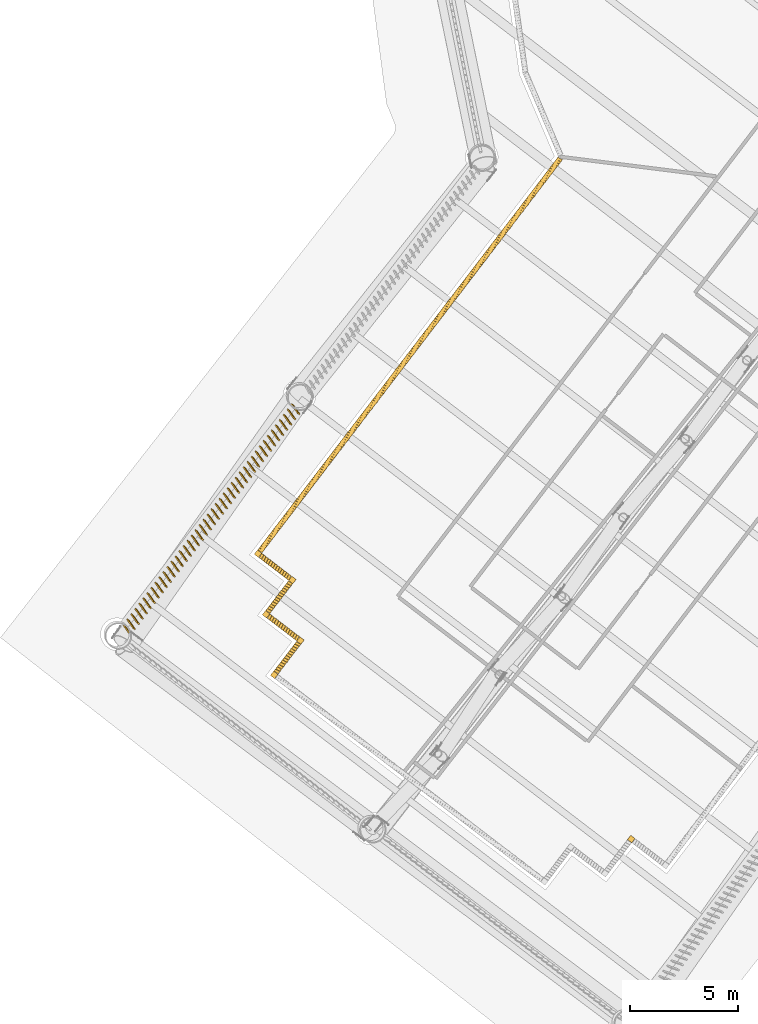
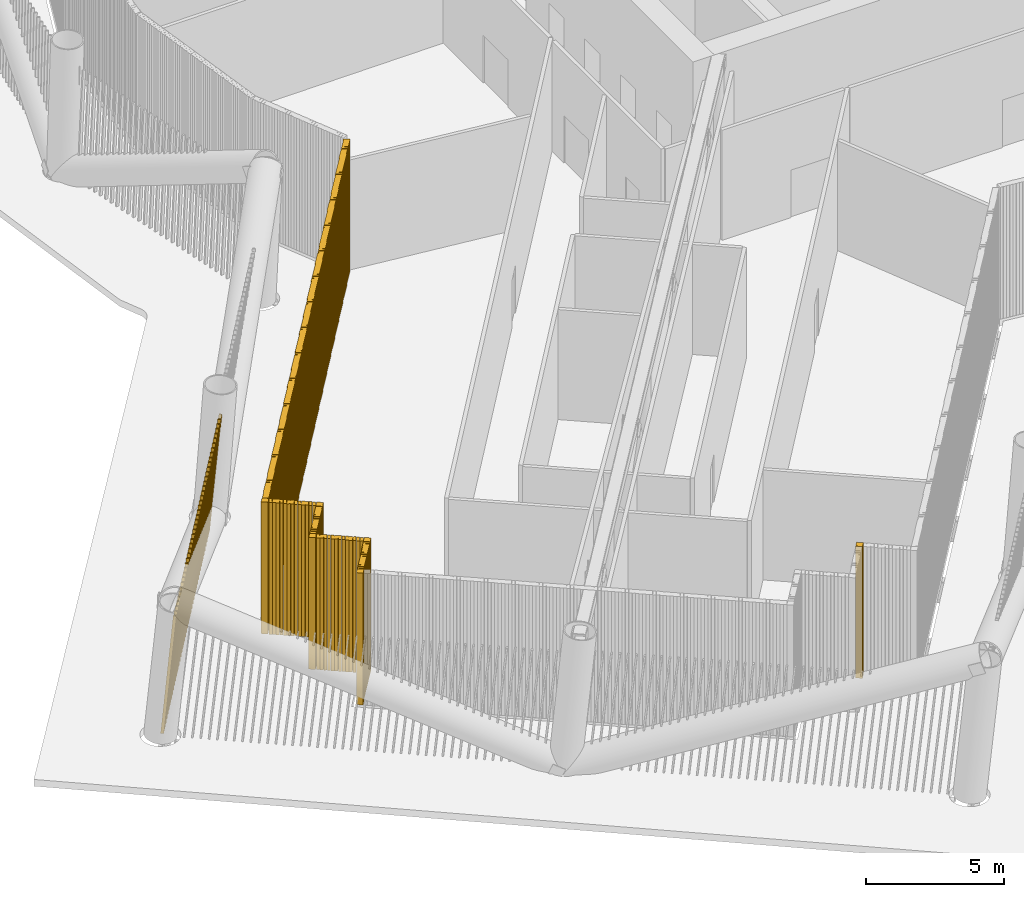
# One storey, part 36 of 48: 12 shading devices.
"""IFC4 building model written with IfcOpenShell, lengths in metres."""

import ifcopenshell
import ifcopenshell.guid

model = None  # the IFC model being written
_history = None  # IfcOwnerHistory: only IFC2X3 demands one
_inside = {}  # id of a spatial element -> (the spatial element, [elements in it])
_under = {}  # id of a project, library or spatial element -> (it, [spatial elements below it])
_declared = {}  # id of a project -> (the project, [libraries it declares])
_typed = {}  # id of a type object -> (the type object, [elements of that type])
_made_of = {}  # id of a material, layer set ... -> (it, [elements and type objects made of it])


def new_model(schema):
    """Start an empty IFC model of exactly this schema.

    Asked for "IFC4X3", IfcOpenShell would pick the latest addendum, in which some entities
    have other attributes; the version numbers below select the first issue.
    IFC2X3 requires an IfcOwnerHistory on every rooted entity: one is made here for all.
    """
    global model, _history
    if schema == "IFC4X3":
        model = ifcopenshell.file(schema_version=(4, 3, 0, 0))
    else:
        model = ifcopenshell.file(schema=schema)
    _inside.clear()
    _under.clear()
    _declared.clear()
    _typed.clear()
    _made_of.clear()
    _history = None
    if model.schema == "IFC2X3":
        org = make("IfcOrganization", Name="unknown")
        user = make(
            "IfcPersonAndOrganization",
            ThePerson=make("IfcPerson", FamilyName="unknown"),
            TheOrganization=org,
        )
        app = make(
            "IfcApplication",
            ApplicationDeveloper=org,
            Version="unknown",
            ApplicationFullName="unknown",
            ApplicationIdentifier="unknown",
        )
        _history = make(
            "IfcOwnerHistory",
            OwningUser=user,
            OwningApplication=app,
            ChangeAction="ADDED",
            CreationDate=0,
        )
    return model


def make(cls, **values):
    """One entity of the class cls with the attributes given. An attribute that is None is left unset."""
    return model.create_entity(
        cls, **{name: value for name, value in values.items() if value is not None}
    )


def rooted(cls, **values):
    """An entity with a GlobalId (a new one), such as an element, a storey or a relation."""
    return make(cls, GlobalId=ifcopenshell.guid.new(), OwnerHistory=_history, **values)


def si_unit(unit_type, name, prefix=None):
    """IfcSIUnit, for example si_unit("LENGTHUNIT", "METRE", prefix="MILLI")."""
    return make("IfcSIUnit", UnitType=unit_type, Prefix=prefix, Name=name)


def assignment(units):
    """IfcUnitAssignment: the units of a project."""
    return None if units is None else make("IfcUnitAssignment", Units=units)


def point(xyz):
    """IfcCartesianPoint."""
    return None if xyz is None else make("IfcCartesianPoint", Coordinates=xyz)


def direction(xyz):
    """IfcDirection."""
    return None if xyz is None else make("IfcDirection", DirectionRatios=xyz)


def frame(location, z_axis=None, x_axis=None):
    """IfcAxis2Placement3D, a coordinate frame: its origin and axes. An axis left out is left unset."""
    return make(
        "IfcAxis2Placement3D",
        Location=point(location),
        Axis=direction(z_axis),
        RefDirection=direction(x_axis),
    )


def frame_2d(location, x_axis=None):
    """IfcAxis2Placement2D, a coordinate frame in the plane: its origin and x axis."""
    return make(
        "IfcAxis2Placement2D", Location=point(location), RefDirection=direction(x_axis)
    )


def origin():
    """The frame at (0, 0, 0) with its axes left unset."""
    return frame((0.0, 0.0, 0.0))


def origin_2d():
    """The frame at (0, 0) in the plane with its x axis left unset."""
    return frame_2d((0.0, 0.0))


def place(relative_to, where):
    """IfcLocalPlacement: puts the frame where relative to a parent placement (None: the world)."""
    return make(
        "IfcLocalPlacement", PlacementRelTo=relative_to, RelativePlacement=where
    )


def context(
    kind, dimensions, precision=None, world=None, true_north=None, identifier=None
):
    """IfcGeometricRepresentationContext, for example the 3D "Model" context."""
    return make(
        "IfcGeometricRepresentationContext",
        ContextIdentifier=identifier,
        ContextType=kind,
        CoordinateSpaceDimension=dimensions,
        Precision=precision,
        WorldCoordinateSystem=world,
        TrueNorth=true_north,
    )


def subcontext(parent, identifier, kind, view, scale=None):
    """IfcGeometricRepresentationSubContext, for example "Body" below "Model"."""
    return make(
        "IfcGeometricRepresentationSubContext",
        ContextIdentifier=identifier,
        ContextType=kind,
        ParentContext=parent,
        TargetScale=scale,
        TargetView=view,
    )


def project(units=None, contexts=None):
    """IfcProject with its units and contexts."""
    return rooted(
        "IfcProject",
        Name="project",
        RepresentationContexts=contexts,
        UnitsInContext=assignment(units),
    )


def spatial(cls, under=None, at=None, **own):
    """A site, building, storey or space (cls), placed at a placement, below another one or the project."""
    s = rooted(cls, ObjectPlacement=at, **own)
    if under is not None:
        _under.setdefault(under.id(), (under, []))[1].append(s)
    return s


def profile(cls, at=None, kind="AREA", **sizes):
    """A parametric profile (cls). Its sizes go by their IFC names, for example OverallWidth=200.0."""
    return make(cls, ProfileType=kind, Position=at, **sizes)


def rectangle(**sizes):
    """IfcRectangleProfileDef."""
    return profile("IfcRectangleProfileDef", **sizes)


def composite_profile(profiles, kind="AREA"):
    """IfcCompositeProfileDef: several profiles as one."""
    return make("IfcCompositeProfileDef", ProfileType=kind, Profiles=profiles)


def extrude(swept, where, along, depth):
    """IfcExtrudedAreaSolid: the profile swept, set in the frame where, extruded along a direction by depth."""
    return make(
        "IfcExtrudedAreaSolid",
        SweptArea=swept,
        Position=where,
        ExtrudedDirection=direction(along),
        Depth=depth,
    )


def shape(context_of_items, identifier, shape_type, items):
    """IfcShapeRepresentation: the items that make up one representation, for example the "Body"."""
    return make(
        "IfcShapeRepresentation",
        ContextOfItems=context_of_items,
        RepresentationIdentifier=identifier,
        RepresentationType=shape_type,
        Items=items,
    )


def material(Name=None, Category=None):
    """IfcMaterial."""
    return make("IfcMaterial", Name=Name, Category=Category)


def made_of(thing, what):
    """Note that an element or type object is made of a material, layer set ...; save() writes the relation."""
    if what is not None:
        _made_of.setdefault(what.id(), (what, []))[1].append(thing)
    return thing


def type_object(cls, material=None, **own):
    """A type object (cls), such as IfcWallType, which elements share."""
    return made_of(rooted(cls, **own), material)


def element(
    cls,
    number,
    at=None,
    inside=None,
    cuts=None,
    type_object=None,
    material=None,
    context=None,
    identifier="Body",
    shape_type=None,
    held_by="IfcProductDefinitionShape",
    body=None,
    shapes=None,
    **own,
):
    """One element of the class cls, such as IfcWall. Its Tag is "e" and its number.

    at: its placement. inside: the storey or other place that contains it. cuts: it is an
    opening in that element (IfcRelVoidsElement). A single representation is given by context,
    identifier, shape_type and body (its items); several are given by shapes. held_by: the class
    of the entity that holds the representations. save() writes the other relations.
    """
    e = rooted(cls, Tag="e%d" % number, ObjectPlacement=at, **own)
    if body is not None:
        shapes = [shape(context, identifier, shape_type, body)]
    if shapes is not None:
        e.Representation = make(held_by, Representations=shapes)
    if inside is not None:
        _inside.setdefault(inside.id(), (inside, []))[1].append(e)
    if cuts is not None:
        rooted(
            "IfcRelVoidsElement", RelatingBuildingElement=cuts, RelatedOpeningElement=e
        )
    if type_object is not None:
        _typed.setdefault(type_object.id(), (type_object, []))[1].append(e)
    return made_of(e, material)


def aggregate(whole, parts):
    """IfcRelAggregates: a whole, such as a stair, and the parts it consists of."""
    return rooted("IfcRelAggregates", RelatingObject=whole, RelatedObjects=parts)


def save(model, path):
    """Write the relations noted so far, then the file.

    IfcRelAggregates (storeys below a building ...), IfcRelContainedInSpatialStructure (elements
    in a storey), IfcRelDefinesByType, IfcRelAssociatesMaterial and IfcRelDeclares: one each for
    every whole, place, type object, material and project.
    """
    for whole, parts in _under.values():
        aggregate(whole, parts)
    for where, things in _inside.values():
        rooted(
            "IfcRelContainedInSpatialStructure",
            RelatedElements=things,
            RelatingStructure=where,
        )
    for kind, things in _typed.values():
        rooted("IfcRelDefinesByType", RelatedObjects=things, RelatingType=kind)
    for what, things in _made_of.values():
        rooted("IfcRelAssociatesMaterial", RelatedObjects=things, RelatingMaterial=what)
    for by, libraries in _declared.values():
        rooted("IfcRelDeclares", RelatingContext=by, RelatedDefinitions=libraries)
    model.write(path)


model = new_model("IFC4")

# Units and contexts
model_context = context("Model", 3, precision=1e-05, world=origin(), true_north=direction((0.0, 1.0)))
body_context = subcontext(model_context, "Body", "Model", "MODEL_VIEW")
ifc_project = project(units=[si_unit("LENGTHUNIT", "METRE"), si_unit("AREAUNIT", "SQUARE_METRE"), si_unit("VOLUMEUNIT", "CUBIC_METRE"), si_unit("PLANEANGLEUNIT", "RADIAN"), si_unit("MASSUNIT", "GRAM", prefix="KILO")], contexts=[model_context])

# Site, building, storey
site_placement = place(None, origin())
site = spatial("IfcSite", under=ifc_project, at=site_placement, CompositionType="ELEMENT")
building_placement = place(site_placement, origin())
building = spatial("IfcBuilding", under=site, at=building_placement, Name="Tarsis Ring Headquarters", CompositionType="ELEMENT")
storey_placement = place(building_placement, frame((0.0, 0.0, 34.0)))
storey = spatial("IfcBuildingStorey", under=building, at=storey_placement, Name="L06", CompositionType="ELEMENT", Elevation=34.0)

# Shading devices
ifc_material_1 = material(Name="Aluminium louvre", Category="aluminium")
shading_device_type_1 = type_object("IfcShadingDeviceType", Name="Plant louvre fin", PredefinedType="USERDEFINED", material=ifc_material_1)
shading_device_1_placement = place(storey_placement, frame((-23.298828125, -10.92236328125, 0.0), z_axis=(0.0, 0.0, 1.0), x_axis=(-0.607383265167, -0.794414621677, 0.0)))
element("IfcShadingDevice", 1, at=shading_device_1_placement, inside=storey, type_object=shading_device_type_1, Name="Louvre L06-06", ObjectType="Louvre", PredefinedType="USERDEFINED", context=body_context, shape_type="SweptSolid", body=[
    extrude(composite_profile([rectangle(XDim=0.1201171875, YDim=0.239990234375, at=frame_2d((0.076171875, 0.0), x_axis=(0.990268068742, 0.13917310096))), rectangle(XDim=0.1201171875, YDim=0.239990234375, at=frame_2d((0.201171875, 0.0), x_axis=(0.990268068742, 0.13917310096))), rectangle(XDim=0.1201171875, YDim=0.239990234375, at=frame_2d((0.326416015625, 0.0), x_axis=(0.990268068742, 0.13917310096))), rectangle(XDim=0.1201171875, YDim=0.239990234375, at=frame_2d((0.451416015625, 0.0), x_axis=(0.990268068742, 0.13917310096))), rectangle(XDim=0.1201171875, YDim=0.239990234375, at=frame_2d((0.57666015625, 0.0), x_axis=(0.990268068742, 0.13917310096))), rectangle(XDim=0.1201171875, YDim=0.239990234375, at=frame_2d((0.70166015625, 0.0), x_axis=(0.990268068742, 0.13917310096))), rectangle(XDim=0.1201171875, YDim=0.239990234375, at=frame_2d((0.826904296875, 0.0), x_axis=(0.990268068742, 0.13917310096))), rectangle(XDim=0.1201171875, YDim=0.239990234375, at=frame_2d((0.951904296875, 0.0), x_axis=(0.990268068742, 0.13917310096))), rectangle(XDim=0.1201171875, YDim=0.239990234375, at=frame_2d((1.0771484375, 0.0), x_axis=(0.990268068742, 0.13917310096))), rectangle(XDim=0.1201171875, YDim=0.239990234375, at=frame_2d((1.2021484375, 0.0), x_axis=(0.990268068742, 0.13917310096))), rectangle(XDim=0.1201171875, YDim=0.239990234375, at=frame_2d((1.3271484375, 0.0), x_axis=(0.990268068742, 0.13917310096))), rectangle(XDim=0.1201171875, YDim=0.239990234375, at=frame_2d((1.452392578125, 0.0), x_axis=(0.990268068742, 0.13917310096))), rectangle(XDim=0.1201171875, YDim=0.239990234375, at=frame_2d((1.577392578125, 0.0), x_axis=(0.990268068742, 0.13917310096))), rectangle(XDim=0.1201171875, YDim=0.239990234375, at=frame_2d((1.70263671875, 0.0), x_axis=(0.990268068742, 0.13917310096))), rectangle(XDim=0.1201171875, YDim=0.239990234375, at=frame_2d((1.82763671875, 0.0), x_axis=(0.990268068742, 0.13917310096))), rectangle(XDim=0.1201171875, YDim=0.239990234375, at=frame_2d((1.952880859375, 0.0), x_axis=(0.990268068742, 0.13917310096))), rectangle(XDim=0.1201171875, YDim=0.239990234375, at=frame_2d((2.077880859375, 0.0), x_axis=(0.990268068742, 0.13917310096))), rectangle(XDim=0.1201171875, YDim=0.239990234375, at=frame_2d((2.203125, 0.0), x_axis=(0.990268068742, 0.13917310096))), rectangle(XDim=0.1201171875, YDim=0.239990234375, at=frame_2d((2.328125, 0.0), x_axis=(0.990268068742, 0.13917310096))), rectangle(XDim=0.1201171875, YDim=0.239990234375, at=frame_2d((2.453125, 0.0), x_axis=(0.990268068742, 0.13917310096))), rectangle(XDim=0.1201171875, YDim=0.239990234375, at=frame_2d((2.578369140625, 0.0), x_axis=(0.990268068742, 0.13917310096))), rectangle(XDim=0.1201171875, YDim=0.239990234375, at=frame_2d((2.703369140625, 0.0), x_axis=(0.990268068742, 0.13917310096))), rectangle(XDim=0.1201171875, YDim=0.239990234375, at=frame_2d((2.82861328125, 0.0), x_axis=(0.990268068742, 0.13917310096))), rectangle(XDim=0.1201171875, YDim=0.239990234375, at=frame_2d((2.95361328125, 0.0), x_axis=(0.990268068742, 0.13917310096))), rectangle(XDim=0.1201171875, YDim=0.239990234375, at=frame_2d((3.078857421875, 0.0), x_axis=(0.990268068742, 0.13917310096))), rectangle(XDim=0.1201171875, YDim=0.239990234375, at=frame_2d((3.203857421875, 0.0), x_axis=(0.990268068742, 0.13917310096))), rectangle(XDim=0.1201171875, YDim=0.239990234375, at=frame_2d((3.3291015625, 0.0), x_axis=(0.990268068742, 0.13917310096))), rectangle(XDim=0.1201171875, YDim=0.239990234375, at=frame_2d((3.4541015625, 0.0), x_axis=(0.990268068742, 0.13917310096))), rectangle(XDim=0.1201171875, YDim=0.239990234375, at=frame_2d((3.5791015625, 0.0), x_axis=(0.990268068742, 0.13917310096))), rectangle(XDim=0.1201171875, YDim=0.239990234375, at=frame_2d((3.704345703125, 0.0), x_axis=(0.990268068742, 0.13917310096))), rectangle(XDim=0.1201171875, YDim=0.239990234375, at=frame_2d((3.829345703125, 0.0), x_axis=(0.990268068742, 0.13917310096))), rectangle(XDim=0.1201171875, YDim=0.239990234375, at=frame_2d((3.95458984375, 0.0), x_axis=(0.990268068742, 0.13917310096))), rectangle(XDim=0.1201171875, YDim=0.239990234375, at=frame_2d((4.07958984375, 0.0), x_axis=(0.990268068742, 0.13917310096))), rectangle(XDim=0.1201171875, YDim=0.239990234375, at=frame_2d((4.204833984375, 0.0), x_axis=(0.990268068742, 0.13917310096))), rectangle(XDim=0.1201171875, YDim=0.239990234375, at=frame_2d((4.329833984375, 0.0), x_axis=(0.990268068742, 0.13917310096))), rectangle(XDim=0.1201171875, YDim=0.239990234375, at=frame_2d((4.455078125, 0.0), x_axis=(0.990268068742, 0.13917310096))), rectangle(XDim=0.1201171875, YDim=0.239990234375, at=frame_2d((4.580078125, 0.0), x_axis=(0.990268068742, 0.13917310096))), rectangle(XDim=0.1201171875, YDim=0.239990234375, at=frame_2d((4.705078125, 0.0), x_axis=(0.990268068742, 0.13917310096))), rectangle(XDim=0.1201171875, YDim=0.239990234375, at=frame_2d((4.830322265625, 0.0), x_axis=(0.990268068742, 0.13917310096))), rectangle(XDim=0.1201171875, YDim=0.239990234375, at=frame_2d((4.955322265625, 0.0), x_axis=(0.990268068742, 0.13917310096))), rectangle(XDim=0.1201171875, YDim=0.239990234375, at=frame_2d((5.08056640625, 0.0), x_axis=(0.990268068742, 0.13917310096))), rectangle(XDim=0.1201171875, YDim=0.239990234375, at=frame_2d((5.20556640625, 0.0), x_axis=(0.990268068742, 0.13917310096))), rectangle(XDim=0.1201171875, YDim=0.239990234375, at=frame_2d((5.330810546875, 0.0), x_axis=(0.990268068742, 0.13917310096))), rectangle(XDim=0.1201171875, YDim=0.239990234375, at=frame_2d((5.455810546875, 0.0), x_axis=(0.990268068742, 0.13917310096))), rectangle(XDim=0.1201171875, YDim=0.239990234375, at=frame_2d((5.5810546875, 0.0), x_axis=(0.990268068742, 0.13917310096))), rectangle(XDim=0.1201171875, YDim=0.239990234375, at=frame_2d((5.7060546875, 0.0), x_axis=(0.990268068742, 0.13917310096))), rectangle(XDim=0.1201171875, YDim=0.239990234375, at=frame_2d((5.8310546875, 0.0), x_axis=(0.990268068742, 0.13917310096))), rectangle(XDim=0.1201171875, YDim=0.239990234375, at=frame_2d((5.956298828125, 0.0), x_axis=(0.990268068742, 0.13917310096))), rectangle(XDim=0.1201171875, YDim=0.239990234375, at=frame_2d((6.081298828125, 0.0), x_axis=(0.990268068742, 0.13917310096))), rectangle(XDim=0.1201171875, YDim=0.239990234375, at=frame_2d((6.20654296875, 0.0), x_axis=(0.990268068742, 0.13917310096))), rectangle(XDim=0.1201171875, YDim=0.239990234375, at=frame_2d((6.33154296875, 0.0), x_axis=(0.990268068742, 0.13917310096))), rectangle(XDim=0.1201171875, YDim=0.239990234375, at=frame_2d((6.456787109375, 0.0), x_axis=(0.990268068742, 0.13917310096))), rectangle(XDim=0.1201171875, YDim=0.239990234375, at=frame_2d((6.581787109375, 0.0), x_axis=(0.990268068742, 0.13917310096))), rectangle(XDim=0.1201171875, YDim=0.239990234375, at=frame_2d((6.70703125, 0.0), x_axis=(0.990268068742, 0.13917310096))), rectangle(XDim=0.1201171875, YDim=0.239990234375, at=frame_2d((6.83203125, 0.0), x_axis=(0.990268068742, 0.13917310096))), rectangle(XDim=0.1201171875, YDim=0.239990234375, at=frame_2d((6.95703125, 0.0), x_axis=(0.990268068742, 0.13917310096))), rectangle(XDim=0.1201171875, YDim=0.239990234375, at=frame_2d((7.082275390625, 0.0), x_axis=(0.990268068742, 0.13917310096))), rectangle(XDim=0.1201171875, YDim=0.239990234375, at=frame_2d((7.207275390625, 0.0), x_axis=(0.990268068742, 0.13917310096))), rectangle(XDim=0.1201171875, YDim=0.239990234375, at=frame_2d((7.33251953125, 0.0), x_axis=(0.990268068742, 0.13917310096))), rectangle(XDim=0.1201171875, YDim=0.239990234375, at=frame_2d((7.45751953125, 0.0), x_axis=(0.990268068742, 0.13917310096))), rectangle(XDim=0.1201171875, YDim=0.239990234375, at=frame_2d((7.582763671875, 0.0), x_axis=(0.990268068742, 0.13917310096))), rectangle(XDim=0.1201171875, YDim=0.239990234375, at=frame_2d((7.707763671875, 0.0), x_axis=(0.990268068742, 0.13917310096))), rectangle(XDim=0.1201171875, YDim=0.239990234375, at=frame_2d((7.8330078125, 0.0), x_axis=(0.990268068742, 0.13917310096))), rectangle(XDim=0.1201171875, YDim=0.239990234375, at=frame_2d((7.9580078125, 0.0), x_axis=(0.990268068742, 0.13917310096))), rectangle(XDim=0.1201171875, YDim=0.239990234375, at=frame_2d((8.0830078125, 0.0), x_axis=(0.990268068742, 0.13917310096))), rectangle(XDim=0.1201171875, YDim=0.239990234375, at=frame_2d((8.208251953125, 0.0), x_axis=(0.990268068742, 0.13917310096))), rectangle(XDim=0.1201171875, YDim=0.239990234375, at=frame_2d((8.333251953125, 0.0), x_axis=(0.990268068742, 0.13917310096))), rectangle(XDim=0.1201171875, YDim=0.239990234375, at=frame_2d((8.45849609375, 0.0), x_axis=(0.990268068742, 0.13917310096))), rectangle(XDim=0.1201171875, YDim=0.239990234375, at=frame_2d((8.58349609375, 0.0), x_axis=(0.990268068742, 0.13917310096))), rectangle(XDim=0.1201171875, YDim=0.239990234375, at=frame_2d((8.708740234375, 0.0), x_axis=(0.990268068742, 0.13917310096))), rectangle(XDim=0.1201171875, YDim=0.239990234375, at=frame_2d((8.833740234375, 0.0), x_axis=(0.990268068742, 0.13917310096))), rectangle(XDim=0.1201171875, YDim=0.239990234375, at=frame_2d((8.958984375, 0.0), x_axis=(0.990268068742, 0.13917310096))), rectangle(XDim=0.1201171875, YDim=0.239990234375, at=frame_2d((9.083984375, 0.0), x_axis=(0.990268068742, 0.13917310096))), rectangle(XDim=0.1201171875, YDim=0.239990234375, at=frame_2d((9.208984375, 0.0), x_axis=(0.990268068742, 0.13917310096))), rectangle(XDim=0.1201171875, YDim=0.239990234375, at=frame_2d((9.334228515625, 0.0), x_axis=(0.990268068742, 0.13917310096))), rectangle(XDim=0.1201171875, YDim=0.239990234375, at=frame_2d((9.459228515625, 0.0), x_axis=(0.990268068742, 0.13917310096))), rectangle(XDim=0.1201171875, YDim=0.239990234375, at=frame_2d((9.58447265625, 0.0), x_axis=(0.990268068742, 0.13917310096))), rectangle(XDim=0.1201171875, YDim=0.239990234375, at=frame_2d((9.70947265625, 0.0), x_axis=(0.990268068742, 0.13917310096))), rectangle(XDim=0.1201171875, YDim=0.239990234375, at=frame_2d((9.834716796875, 0.0), x_axis=(0.990268068742, 0.13917310096))), rectangle(XDim=0.1201171875, YDim=0.239990234375, at=frame_2d((9.959716796875, 0.0), x_axis=(0.990268068742, 0.13917310096))), rectangle(XDim=0.1201171875, YDim=0.239990234375, at=frame_2d((10.0849609375, 0.0), x_axis=(0.990268068742, 0.13917310096))), rectangle(XDim=0.1201171875, YDim=0.239990234375, at=frame_2d((10.2099609375, 0.0), x_axis=(0.990268068742, 0.13917310096))), rectangle(XDim=0.1201171875, YDim=0.239990234375, at=frame_2d((10.3349609375, 0.0), x_axis=(0.990268068742, 0.13917310096))), rectangle(XDim=0.1201171875, YDim=0.239990234375, at=frame_2d((10.460205078125, 0.0), x_axis=(0.990268068742, 0.13917310096))), rectangle(XDim=0.1201171875, YDim=0.239990234375, at=frame_2d((10.585205078125, 0.0), x_axis=(0.990268068742, 0.13917310096))), rectangle(XDim=0.1201171875, YDim=0.239990234375, at=frame_2d((10.71044921875, 0.0), x_axis=(0.990268068742, 0.13917310096))), rectangle(XDim=0.1201171875, YDim=0.239990234375, at=frame_2d((10.83544921875, 0.0), x_axis=(0.990268068742, 0.13917310096))), rectangle(XDim=0.1201171875, YDim=0.239990234375, at=frame_2d((10.960693359375, 0.0), x_axis=(0.990268068742, 0.13917310096))), rectangle(XDim=0.1201171875, YDim=0.239990234375, at=frame_2d((11.085693359375, 0.0), x_axis=(0.990268068742, 0.13917310096))), rectangle(XDim=0.1201171875, YDim=0.239990234375, at=frame_2d((11.2109375, 0.0), x_axis=(0.990268068742, 0.13917310096))), rectangle(XDim=0.1201171875, YDim=0.239990234375, at=frame_2d((11.3359375, 0.0), x_axis=(0.990268068742, 0.13917310096))), rectangle(XDim=0.1201171875, YDim=0.239990234375, at=frame_2d((11.4609375, 0.0), x_axis=(0.990268068742, 0.13917310096))), rectangle(XDim=0.1201171875, YDim=0.239990234375, at=frame_2d((11.586181640625, 0.0), x_axis=(0.990268068742, 0.13917310096))), rectangle(XDim=0.1201171875, YDim=0.239990234375, at=frame_2d((11.711181640625, 0.0), x_axis=(0.990268068742, 0.13917310096))), rectangle(XDim=0.1201171875, YDim=0.239990234375, at=frame_2d((11.83642578125, 0.0), x_axis=(0.990268068742, 0.13917310096))), rectangle(XDim=0.1201171875, YDim=0.239990234375, at=frame_2d((11.96142578125, 0.0), x_axis=(0.990268068742, 0.13917310096))), rectangle(XDim=0.1201171875, YDim=0.239990234375, at=frame_2d((12.086669921875, 0.0), x_axis=(0.990268068742, 0.13917310096))), rectangle(XDim=0.1201171875, YDim=0.239990234375, at=frame_2d((12.211669921875, 0.0), x_axis=(0.990268068742, 0.13917310096))), rectangle(XDim=0.1201171875, YDim=0.239990234375, at=frame_2d((12.3369140625, 0.0), x_axis=(0.990268068742, 0.13917310096))), rectangle(XDim=0.1201171875, YDim=0.239990234375, at=frame_2d((12.4619140625, 0.0), x_axis=(0.990268068742, 0.13917310096))), rectangle(XDim=0.1201171875, YDim=0.239990234375, at=frame_2d((12.587158203125, 0.0), x_axis=(0.990268068742, 0.13917310096))), rectangle(XDim=0.1201171875, YDim=0.239990234375, at=frame_2d((12.712158203125, 0.0), x_axis=(0.990268068742, 0.13917310096))), rectangle(XDim=0.1201171875, YDim=0.239990234375, at=frame_2d((12.837158203125, 0.0), x_axis=(0.990268068742, 0.13917310096))), rectangle(XDim=0.1201171875, YDim=0.239990234375, at=frame_2d((12.96240234375, 0.0), x_axis=(0.990268068742, 0.13917310096))), rectangle(XDim=0.1201171875, YDim=0.239990234375, at=frame_2d((13.08740234375, 0.0), x_axis=(0.990268068742, 0.13917310096))), rectangle(XDim=0.1201171875, YDim=0.239990234375, at=frame_2d((13.212646484375, 0.0), x_axis=(0.990268068742, 0.13917310096))), rectangle(XDim=0.1201171875, YDim=0.239990234375, at=frame_2d((13.337646484375, 0.0), x_axis=(0.990268068742, 0.13917310096))), rectangle(XDim=0.1201171875, YDim=0.239990234375, at=frame_2d((13.462890625, 0.0), x_axis=(0.990268068742, 0.13917310096))), rectangle(XDim=0.1201171875, YDim=0.239990234375, at=frame_2d((13.587890625, 0.0), x_axis=(0.990268068742, 0.13917310096))), rectangle(XDim=0.1201171875, YDim=0.239990234375, at=frame_2d((13.713134765625, 0.0), x_axis=(0.990268068742, 0.13917310096))), rectangle(XDim=0.1201171875, YDim=0.239990234375, at=frame_2d((13.838134765625, 0.0), x_axis=(0.990268068742, 0.13917310096))), rectangle(XDim=0.1201171875, YDim=0.239990234375, at=frame_2d((13.963134765625, 0.0), x_axis=(0.990268068742, 0.13917310096))), rectangle(XDim=0.1201171875, YDim=0.239990234375, at=frame_2d((14.08837890625, 0.0), x_axis=(0.990268068742, 0.13917310096))), rectangle(XDim=0.1201171875, YDim=0.239990234375, at=frame_2d((14.21337890625, 0.0), x_axis=(0.990268068742, 0.13917310096))), rectangle(XDim=0.1201171875, YDim=0.239990234375, at=frame_2d((14.338623046875, 0.0), x_axis=(0.990268068742, 0.13917310096))), rectangle(XDim=0.1201171875, YDim=0.239990234375, at=frame_2d((14.463623046875, 0.0), x_axis=(0.990268068742, 0.13917310096))), rectangle(XDim=0.1201171875, YDim=0.239990234375, at=frame_2d((14.5888671875, 0.0), x_axis=(0.990268068742, 0.13917310096))), rectangle(XDim=0.1201171875, YDim=0.239990234375, at=frame_2d((14.7138671875, 0.0), x_axis=(0.990268068742, 0.13917310096))), rectangle(XDim=0.1201171875, YDim=0.239990234375, at=frame_2d((14.839111328125, 0.0), x_axis=(0.990268068742, 0.13917310096))), rectangle(XDim=0.1201171875, YDim=0.239990234375, at=frame_2d((14.964111328125, 0.0), x_axis=(0.990268068742, 0.13917310096))), rectangle(XDim=0.1201171875, YDim=0.239990234375, at=frame_2d((15.089111328125, 0.0), x_axis=(0.990268068742, 0.13917310096))), rectangle(XDim=0.1201171875, YDim=0.239990234375, at=frame_2d((15.21435546875, 0.0), x_axis=(0.990268068742, 0.13917310096))), rectangle(XDim=0.1201171875, YDim=0.239990234375, at=frame_2d((15.33935546875, 0.0), x_axis=(0.990268068742, 0.13917310096))), rectangle(XDim=0.1201171875, YDim=0.239990234375, at=frame_2d((15.464599609375, 0.0), x_axis=(0.990268068742, 0.13917310096))), rectangle(XDim=0.1201171875, YDim=0.239990234375, at=frame_2d((15.589599609375, 0.0), x_axis=(0.990268068742, 0.13917310096))), rectangle(XDim=0.1201171875, YDim=0.239990234375, at=frame_2d((15.71484375, 0.0), x_axis=(0.990268068742, 0.13917310096))), rectangle(XDim=0.1201171875, YDim=0.239990234375, at=frame_2d((15.83984375, 0.0), x_axis=(0.990268068742, 0.13917310096))), rectangle(XDim=0.1201171875, YDim=0.239990234375, at=frame_2d((15.965087890625, 0.0), x_axis=(0.990268068742, 0.13917310096))), rectangle(XDim=0.1201171875, YDim=0.239990234375, at=frame_2d((16.090087890625, 0.0), x_axis=(0.990268068742, 0.13917310096))), rectangle(XDim=0.1201171875, YDim=0.239990234375, at=frame_2d((16.215087890625, 0.0), x_axis=(0.990268068742, 0.13917310096))), rectangle(XDim=0.1201171875, YDim=0.239990234375, at=frame_2d((16.34033203125, 0.0), x_axis=(0.990268068742, 0.13917310096))), rectangle(XDim=0.1201171875, YDim=0.239990234375, at=frame_2d((16.46533203125, 0.0), x_axis=(0.990268068742, 0.13917310096))), rectangle(XDim=0.1201171875, YDim=0.239990234375, at=frame_2d((16.590576171875, 0.0), x_axis=(0.990268068742, 0.13917310096))), rectangle(XDim=0.1201171875, YDim=0.239990234375, at=frame_2d((16.715576171875, 0.0), x_axis=(0.990268068742, 0.13917310096))), rectangle(XDim=0.1201171875, YDim=0.239990234375, at=frame_2d((16.8408203125, 0.0), x_axis=(0.990268068742, 0.13917310096))), rectangle(XDim=0.1201171875, YDim=0.239990234375, at=frame_2d((16.9658203125, 0.0), x_axis=(0.990268068742, 0.13917310096))), rectangle(XDim=0.1201171875, YDim=0.239990234375, at=frame_2d((17.091064453125, 0.0), x_axis=(0.990268068742, 0.13917310096))), rectangle(XDim=0.1201171875, YDim=0.239990234375, at=frame_2d((17.216064453125, 0.0), x_axis=(0.990268068742, 0.13917310096))), rectangle(XDim=0.1201171875, YDim=0.239990234375, at=frame_2d((17.341064453125, 0.0), x_axis=(0.990268068742, 0.13917310096))), rectangle(XDim=0.1201171875, YDim=0.239990234375, at=frame_2d((17.46630859375, 0.0), x_axis=(0.990268068742, 0.13917310096))), rectangle(XDim=0.1201171875, YDim=0.239990234375, at=frame_2d((17.59130859375, 0.0), x_axis=(0.990268068742, 0.13917310096))), rectangle(XDim=0.1201171875, YDim=0.239990234375, at=frame_2d((17.716552734375, 0.0), x_axis=(0.990268068742, 0.13917310096))), rectangle(XDim=0.1201171875, YDim=0.239990234375, at=frame_2d((17.841552734375, 0.0), x_axis=(0.990268068742, 0.13917310096))), rectangle(XDim=0.1201171875, YDim=0.239990234375, at=frame_2d((17.966796875, 0.0), x_axis=(0.990268068742, 0.13917310096))), rectangle(XDim=0.1201171875, YDim=0.239990234375, at=frame_2d((18.091796875, 0.0), x_axis=(0.990268068742, 0.13917310096))), rectangle(XDim=0.1201171875, YDim=0.239990234375, at=frame_2d((18.217041015625, 0.0), x_axis=(0.990268068742, 0.13917310096))), rectangle(XDim=0.1201171875, YDim=0.239990234375, at=frame_2d((18.342041015625, 0.0), x_axis=(0.990268068742, 0.13917310096))), rectangle(XDim=0.1201171875, YDim=0.239990234375, at=frame_2d((18.467041015625, 0.0), x_axis=(0.990268068742, 0.13917310096))), rectangle(XDim=0.1201171875, YDim=0.239990234375, at=frame_2d((18.59228515625, 0.0), x_axis=(0.990268068742, 0.13917310096))), rectangle(XDim=0.1201171875, YDim=0.239990234375, at=frame_2d((18.71728515625, 0.0), x_axis=(0.990268068742, 0.13917310096))), rectangle(XDim=0.1201171875, YDim=0.239990234375, at=frame_2d((18.842529296875, 0.0), x_axis=(0.990268068742, 0.13917310096))), rectangle(XDim=0.1201171875, YDim=0.239990234375, at=frame_2d((18.967529296875, 0.0), x_axis=(0.990268068742, 0.13917310096))), rectangle(XDim=0.1201171875, YDim=0.239990234375, at=frame_2d((19.0927734375, 0.0), x_axis=(0.990268068742, 0.13917310096))), rectangle(XDim=0.1201171875, YDim=0.239990234375, at=frame_2d((19.2177734375, 0.0), x_axis=(0.990268068742, 0.13917310096))), rectangle(XDim=0.1201171875, YDim=0.239990234375, at=frame_2d((19.343017578125, 0.0), x_axis=(0.990268068742, 0.13917310096))), rectangle(XDim=0.1201171875, YDim=0.239990234375, at=frame_2d((19.468017578125, 0.0), x_axis=(0.990268068742, 0.13917310096))), rectangle(XDim=0.1201171875, YDim=0.239990234375, at=frame_2d((19.593017578125, 0.0), x_axis=(0.990268068742, 0.13917310096))), rectangle(XDim=0.1201171875, YDim=0.239990234375, at=frame_2d((19.71826171875, 0.0), x_axis=(0.990268068742, 0.13917310096))), rectangle(XDim=0.1201171875, YDim=0.239990234375, at=frame_2d((19.84326171875, 0.0), x_axis=(0.990268068742, 0.13917310096))), rectangle(XDim=0.1201171875, YDim=0.239990234375, at=frame_2d((19.968505859375, 0.0), x_axis=(0.990268068742, 0.13917310096))), rectangle(XDim=0.1201171875, YDim=0.239990234375, at=frame_2d((20.093505859375, 0.0), x_axis=(0.990268068742, 0.13917310096))), rectangle(XDim=0.1201171875, YDim=0.239990234375, at=frame_2d((20.21875, 0.0), x_axis=(0.990268068742, 0.13917310096))), rectangle(XDim=0.1201171875, YDim=0.239990234375, at=frame_2d((20.34375, 0.0), x_axis=(0.990268068742, 0.13917310096))), rectangle(XDim=0.1201171875, YDim=0.239990234375, at=frame_2d((20.468994140625, 0.0), x_axis=(0.990268068742, 0.13917310096))), rectangle(XDim=0.1201171875, YDim=0.239990234375, at=frame_2d((20.593994140625, 0.0), x_axis=(0.990268068742, 0.13917310096))), rectangle(XDim=0.1201171875, YDim=0.239990234375, at=frame_2d((20.718994140625, 0.0), x_axis=(0.990268068742, 0.13917310096))), rectangle(XDim=0.1201171875, YDim=0.239990234375, at=frame_2d((20.84423828125, 0.0), x_axis=(0.990268068742, 0.13917310096))), rectangle(XDim=0.1201171875, YDim=0.239990234375, at=frame_2d((20.96923828125, 0.0), x_axis=(0.990268068742, 0.13917310096))), rectangle(XDim=0.1201171875, YDim=0.239990234375, at=frame_2d((21.094482421875, 0.0), x_axis=(0.990268068742, 0.13917310096))), rectangle(XDim=0.1201171875, YDim=0.239990234375, at=frame_2d((21.219482421875, 0.0), x_axis=(0.990268068742, 0.13917310096))), rectangle(XDim=0.1201171875, YDim=0.239990234375, at=frame_2d((21.3447265625, 0.0), x_axis=(0.990268068742, 0.13917310096))), rectangle(XDim=0.1201171875, YDim=0.239990234375, at=frame_2d((21.4697265625, 0.0), x_axis=(0.990268068742, 0.13917310096))), rectangle(XDim=0.1201171875, YDim=0.239990234375, at=frame_2d((21.594970703125, 0.0), x_axis=(0.990268068742, 0.13917310096))), rectangle(XDim=0.1201171875, YDim=0.239990234375, at=frame_2d((21.719970703125, 0.0), x_axis=(0.990268068742, 0.13917310096))), rectangle(XDim=0.1201171875, YDim=0.239990234375, at=frame_2d((21.844970703125, 0.0), x_axis=(0.990268068742, 0.13917310096))), rectangle(XDim=0.1201171875, YDim=0.239990234375, at=frame_2d((21.97021484375, 0.0), x_axis=(0.990268068742, 0.13917310096))), rectangle(XDim=0.1201171875, YDim=0.239990234375, at=frame_2d((22.09521484375, 0.0), x_axis=(0.990268068742, 0.13917310096))), rectangle(XDim=0.1201171875, YDim=0.239990234375, at=frame_2d((22.220458984375, 0.0), x_axis=(0.990268068742, 0.13917310096))), rectangle(XDim=0.1201171875, YDim=0.239990234375, at=frame_2d((22.345458984375, 0.0), x_axis=(0.990268068742, 0.13917310096))), rectangle(XDim=0.1201171875, YDim=0.239990234375, at=frame_2d((22.470703125, 0.0), x_axis=(0.990268068742, 0.13917310096))), rectangle(XDim=0.1201171875, YDim=0.239990234375, at=frame_2d((22.595703125, 0.0), x_axis=(0.990268068742, 0.13917310096))), rectangle(XDim=0.1201171875, YDim=0.239990234375, at=frame_2d((22.720947265625, 0.0), x_axis=(0.990268068742, 0.13917310096))), rectangle(XDim=0.1201171875, YDim=0.239990234375, at=frame_2d((22.845947265625, 0.0), x_axis=(0.990268068742, 0.13917310096)))]), origin(), (0.0, 0.0, 1.0), 5.840087890625),
])
for number, where, z_axis, x_axis, name in (
    (2, (-37.19775390625, -29.30712890625, 0.0), (0.0, 0.0, 1.0), (0.794363839286, -0.607421875, 0.0), "Louvre L06-07"),
    (3, (-35.7841796875, -30.545166015625, 0.0), (0.0, 0.0, 1.0), (-0.607282366071, -0.794503348214, 0.0), "Louvre L06-08"),
    (4, (-36.82373046875, -32.110595703125, 0.0), (0.0, 0.0, 1.0), (0.794392523364, -0.607337146045, 0.0), "Louvre L06-09"),
    (5, (-35.41015625, -33.348876953125, 0.0), (0.0, 0.0, 1.0), (-0.607367099205, -0.794474675596, 0.0), "Louvre L06-10"),
):
    element("IfcShadingDevice", number, at=place(storey_placement, frame(where, z_axis=z_axis, x_axis=x_axis)), inside=storey, type_object=shading_device_type_1, Name=name, ObjectType="Louvre", PredefinedType="USERDEFINED", context=body_context, shape_type="SweptSolid", body=[
        extrude(composite_profile([rectangle(XDim=0.1201171875, YDim=0.239990234375, at=frame_2d((0.078125, 0.0), x_axis=(0.987688340595, 0.15643446504))), rectangle(XDim=0.1201171875, YDim=0.239990234375, at=frame_2d((0.2109375, 0.0), x_axis=(0.987688340595, 0.15643446504))), rectangle(XDim=0.1201171875, YDim=0.239990234375, at=frame_2d((0.34375, 0.0), x_axis=(0.987688340595, 0.15643446504))), rectangle(XDim=0.1201171875, YDim=0.239990234375, at=frame_2d((0.4765625, 0.0), x_axis=(0.987688340595, 0.15643446504))), rectangle(XDim=0.1201171875, YDim=0.239990234375, at=frame_2d((0.609375, 0.0), x_axis=(0.987688340595, 0.15643446504))), rectangle(XDim=0.1201171875, YDim=0.239990234375, at=frame_2d((0.7421875, 0.0), x_axis=(0.987688340595, 0.15643446504))), rectangle(XDim=0.1201171875, YDim=0.239990234375, at=frame_2d((0.875, 0.0), x_axis=(0.987688340595, 0.15643446504))), rectangle(XDim=0.1201171875, YDim=0.239990234375, at=frame_2d((1.0078125, 0.0), x_axis=(0.987688340595, 0.15643446504))), rectangle(XDim=0.1201171875, YDim=0.239990234375, at=frame_2d((1.140625, 0.0), x_axis=(0.987688340595, 0.15643446504))), rectangle(XDim=0.1201171875, YDim=0.239990234375, at=frame_2d((1.2734375, 0.0), x_axis=(0.987688340595, 0.15643446504))), rectangle(XDim=0.1201171875, YDim=0.239990234375, at=frame_2d((1.40625, 0.0), x_axis=(0.987688340595, 0.15643446504))), rectangle(XDim=0.1201171875, YDim=0.239990234375, at=frame_2d((1.5390625, 0.0), x_axis=(0.987688340595, 0.15643446504))), rectangle(XDim=0.1201171875, YDim=0.239990234375, at=frame_2d((1.671875, 0.0), x_axis=(0.987688340595, 0.15643446504)))]), origin(), (0.0, 0.0, 1.0), 5.840087890625),
    ])
ifc_material_2 = material(Name="Terracotta baguette", Category="masonry")
shading_device_type_2 = type_object("IfcShadingDeviceType", Name="Terracotta baguette screen", PredefinedType="USERDEFINED", material=ifc_material_2)
shading_device_2_placement = place(storey_placement, frame((-35.6865234375, -22.30908203125, -0.300048828125), z_axis=(0.0, 0.0, 1.0), x_axis=(-0.607383439298, -0.794410384499, 0.0)))
element("IfcShadingDevice", 6, at=shading_device_2_placement, inside=storey, type_object=shading_device_type_2, Name="Baguette screen L06-02", ObjectType="Terracotta baguette screen", PredefinedType="USERDEFINED", context=body_context, shape_type="SweptSolid", body=[
    extrude(composite_profile([rectangle(XDim=0.06005859375, YDim=0.1201171875, at=frame_2d((0.030029296875, 0.0))), rectangle(XDim=0.06005859375, YDim=0.1201171875, at=frame_2d((0.335693359375, 0.0))), rectangle(XDim=0.06005859375, YDim=0.1201171875, at=frame_2d((0.6416015625, 0.0))), rectangle(XDim=0.06005859375, YDim=0.1201171875, at=frame_2d((0.947265625, 0.0))), rectangle(XDim=0.06005859375, YDim=0.1201171875, at=frame_2d((1.253173828125, 0.0))), rectangle(XDim=0.06005859375, YDim=0.1201171875, at=frame_2d((1.558837890625, 0.0))), rectangle(XDim=0.06005859375, YDim=0.1201171875, at=frame_2d((1.864501953125, 0.0))), rectangle(XDim=0.06005859375, YDim=0.1201171875, at=frame_2d((2.17041015625, 0.0))), rectangle(XDim=0.06005859375, YDim=0.1201171875, at=frame_2d((2.47607421875, 0.0))), rectangle(XDim=0.06005859375, YDim=0.1201171875, at=frame_2d((2.781982421875, 0.0))), rectangle(XDim=0.06005859375, YDim=0.1201171875, at=frame_2d((3.087646484375, 0.0))), rectangle(XDim=0.06005859375, YDim=0.1201171875, at=frame_2d((3.393310546875, 0.0))), rectangle(XDim=0.06005859375, YDim=0.1201171875, at=frame_2d((3.69921875, 0.0))), rectangle(XDim=0.06005859375, YDim=0.1201171875, at=frame_2d((4.0048828125, 0.0))), rectangle(XDim=0.06005859375, YDim=0.1201171875, at=frame_2d((4.310791015625, 0.0))), rectangle(XDim=0.06005859375, YDim=0.1201171875, at=frame_2d((4.616455078125, 0.0))), rectangle(XDim=0.06005859375, YDim=0.1201171875, at=frame_2d((4.922119140625, 0.0))), rectangle(XDim=0.06005859375, YDim=0.1201171875, at=frame_2d((5.22802734375, 0.0))), rectangle(XDim=0.06005859375, YDim=0.1201171875, at=frame_2d((5.53369140625, 0.0))), rectangle(XDim=0.06005859375, YDim=0.1201171875, at=frame_2d((5.839599609375, 0.0))), rectangle(XDim=0.06005859375, YDim=0.1201171875, at=frame_2d((6.145263671875, 0.0))), rectangle(XDim=0.06005859375, YDim=0.1201171875, at=frame_2d((6.451171875, 0.0))), rectangle(XDim=0.06005859375, YDim=0.1201171875, at=frame_2d((6.7568359375, 0.0))), rectangle(XDim=0.06005859375, YDim=0.1201171875, at=frame_2d((7.0625, 0.0))), rectangle(XDim=0.06005859375, YDim=0.1201171875, at=frame_2d((7.368408203125, 0.0))), rectangle(XDim=0.06005859375, YDim=0.1201171875, at=frame_2d((7.674072265625, 0.0))), rectangle(XDim=0.06005859375, YDim=0.1201171875, at=frame_2d((7.97998046875, 0.0))), rectangle(XDim=0.06005859375, YDim=0.1201171875, at=frame_2d((8.28564453125, 0.0))), rectangle(XDim=0.06005859375, YDim=0.1201171875, at=frame_2d((8.59130859375, 0.0))), rectangle(XDim=0.06005859375, YDim=0.1201171875, at=frame_2d((8.897216796875, 0.0))), rectangle(XDim=0.06005859375, YDim=0.1201171875, at=frame_2d((9.202880859375, 0.0))), rectangle(XDim=0.06005859375, YDim=0.1201171875, at=frame_2d((9.5087890625, 0.0))), rectangle(XDim=0.06005859375, YDim=0.1201171875, at=frame_2d((9.814453125, 0.0))), rectangle(XDim=0.06005859375, YDim=0.1201171875, at=frame_2d((10.1201171875, 0.0))), rectangle(XDim=0.06005859375, YDim=0.1201171875, at=frame_2d((10.426025390625, 0.0))), rectangle(XDim=0.06005859375, YDim=0.1201171875, at=frame_2d((10.731689453125, 0.0))), rectangle(XDim=0.06005859375, YDim=0.1201171875, at=frame_2d((11.03759765625, 0.0))), rectangle(XDim=0.06005859375, YDim=0.1201171875, at=frame_2d((11.34326171875, 0.0))), rectangle(XDim=0.06005859375, YDim=0.1201171875, at=frame_2d((11.64892578125, 0.0))), rectangle(XDim=0.06005859375, YDim=0.1201171875, at=frame_2d((11.954833984375, 0.0))), rectangle(XDim=0.06005859375, YDim=0.1201171875, at=frame_2d((12.260498046875, 0.0))), rectangle(XDim=0.06005859375, YDim=0.1201171875, at=frame_2d((12.56640625, 0.0))), rectangle(XDim=0.06005859375, YDim=0.1201171875, at=frame_2d((12.8720703125, 0.0)))]), origin(), (0.028358809321, 0.089454853057, 0.995587066609), 5.376220703125),
])
shading_device_type_3 = type_object("IfcShadingDeviceType", Name="Terracotta corner baguette 250x250", PredefinedType="USERDEFINED", material=ifc_material_2)
for number, where, z_axis, x_axis, name in (
    (7, (-37.297119140625, -29.231201171875, 0.0), (0.0, 0.0, 1.0), (-0.607375811993, -0.794414641737, 0.0), "Corner baguette L06-07"),
    (8, (-35.708251953125, -30.446044921875, 0.0), (0.0, 0.0, 1.0), (0.794414927956, -0.607375437634, 0.0), "Corner baguette L06-08"),
    (9, (-36.9228515625, -32.03466796875, 0.0), (0.0, 0.0, 1.0), (-0.60737599224, -0.794414503928, 0.0), "Corner baguette L06-09"),
    (10, (-35.334228515625, -33.24951171875, 0.0), (0.0, 0.0, 1.0), (0.794414503928, -0.60737599224, 0.0), "Corner baguette L06-10"),
    (11, (-36.548828125, -34.83837890625, 0.0), (0.0, 0.0, 1.0), (-0.60737599224, -0.794414503928, 0.0), "Corner baguette L06-11"),
    (12, (-20.0185546875, -42.441650390625, 0.0), (0.0, 0.0, 1.0), (0.60737599224, 0.794414503928, 0.0), "Corner baguette L06-15"),
):
    element("IfcShadingDevice", number, at=place(storey_placement, frame(where, z_axis=z_axis, x_axis=x_axis)), inside=storey, type_object=shading_device_type_3, Name=name, ObjectType="Terracotta corner baguette", PredefinedType="USERDEFINED", context=body_context, shape_type="SweptSolid", body=[
        extrude(rectangle(XDim=0.25, YDim=0.25, at=origin_2d()), origin(), (0.0, 0.0, 1.0), 5.840087890625),
    ])

save(model, "model.ifc")
